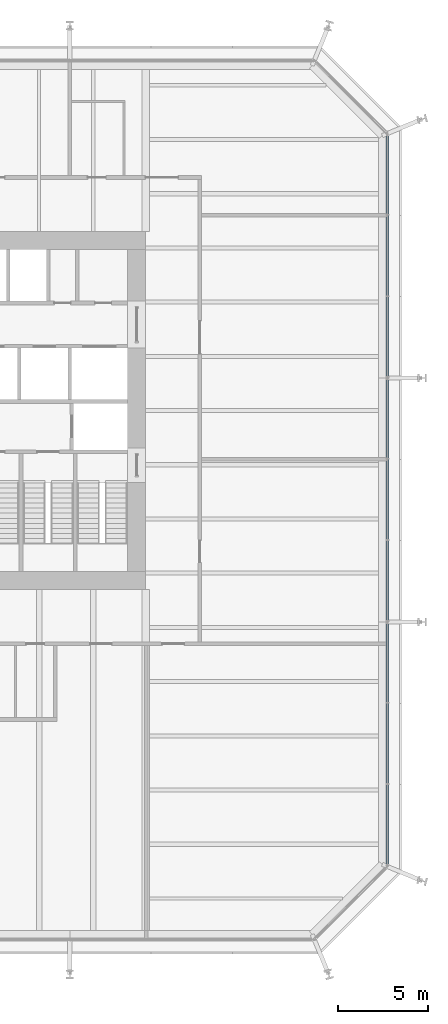
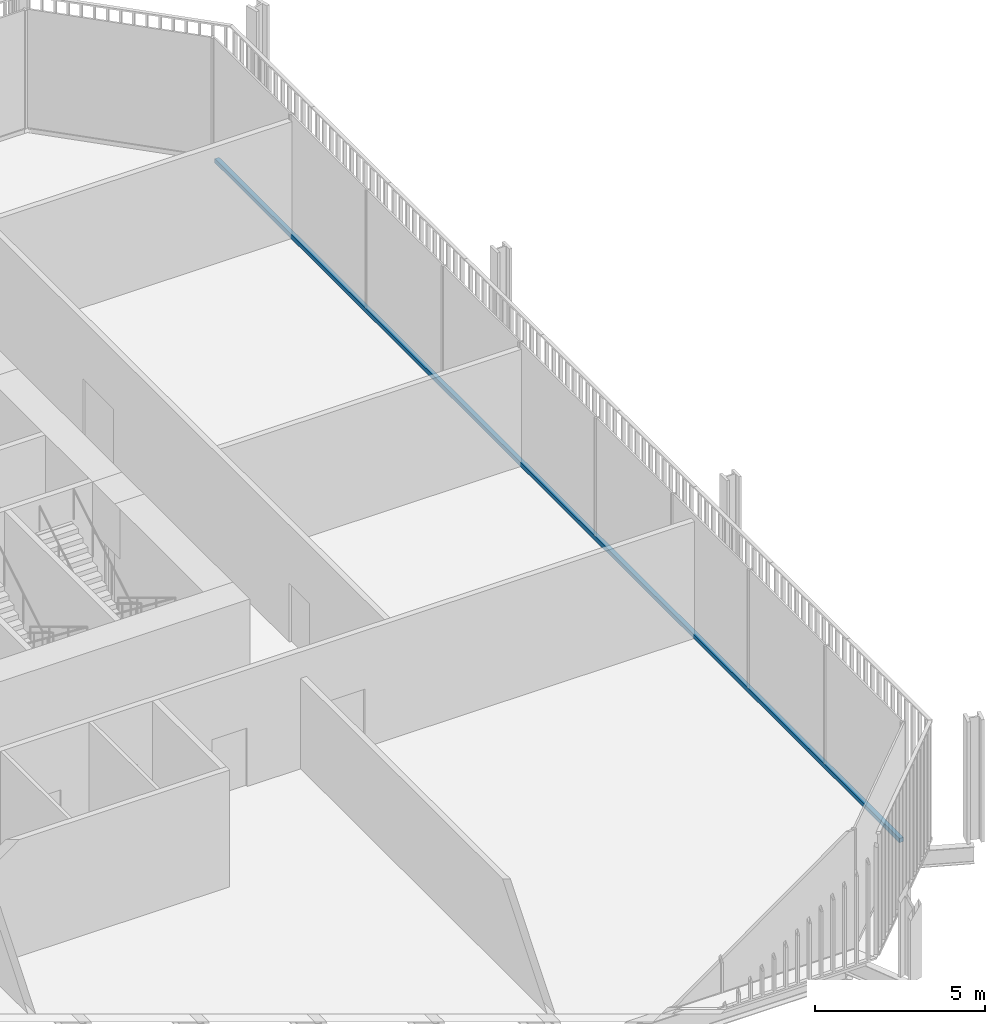
# One storey, part 9 of 20: 1 member, 1 element without a shape of its own.
"""IFC4 building model written with IfcOpenShell, lengths in metres."""

from ifc_helpers import new_model, si_unit, direction, frame, origin, origin_2d, place, context, subcontext, project, spatial, rectangle, extrude, material, layer, layer_set, material_profile, profile_set, type_object, element, aggregate, save


model = new_model("IFC4")

# Units and contexts
model_context = context("Model", 3, precision=1e-05, world=origin(), true_north=direction((0.0, 1.0)))
body_context = subcontext(model_context, "Body", "Model", "MODEL_VIEW")
ifc_project = project(units=[si_unit("LENGTHUNIT", "METRE"), si_unit("AREAUNIT", "SQUARE_METRE"), si_unit("VOLUMEUNIT", "CUBIC_METRE"), si_unit("PLANEANGLEUNIT", "RADIAN"), si_unit("MASSUNIT", "GRAM", prefix="KILO")], contexts=[model_context])

# Site, building, storey
site_placement = place(None, origin())
site = spatial("IfcSite", under=ifc_project, at=site_placement, CompositionType="ELEMENT")
building_placement = place(site_placement, origin())
building = spatial("IfcBuilding", under=site, at=building_placement, Name="Millrace Tower", CompositionType="ELEMENT")
storey_placement = place(building_placement, frame((0.0, 0.0, 77.60009765625)))
storey = spatial("IfcBuildingStorey", under=building, at=storey_placement, Name="L17", CompositionType="ELEMENT", Elevation=77.60009765625)

# Curtain wall, member
ifc_material_1 = material(Name="Aluminium and glass", Category="aluminium")
ifc_layer = layer(ifc_material_1, 0.14990234375)
ifc_layer_set = layer_set([ifc_layer], Name="Aluminium and glass")
curtain_wall_type = type_object("IfcCurtainWallType", Name="CW-3 telecom floor curtain wall", PredefinedType="NOTDEFINED", material=ifc_layer_set)
curtain_wall_placement = place(storey_placement, origin())
curtain_wall = element("IfcCurtainWall", 1, at=curtain_wall_placement, inside=storey, type_object=curtain_wall_type, Name="Curtain wall B-F04 L17", PredefinedType="NOTDEFINED")
ifc_material_2 = material(Name="Aluminium", Category="aluminium")
ifc_material_profile = material_profile(ifc_material_2, rectangle(XDim=0.14990234375, YDim=0.14990234375, at=origin_2d()))
ifc_profile_set = profile_set([ifc_material_profile], Name="Aluminium")
member_type = type_object("IfcMemberType", Name="CW-3 telecom floor curtain wall transom", PredefinedType="USERDEFINED", material=ifc_profile_set)
member_placement = place(storey_placement, frame((28.27490234375, -25.10009765625, 0.074951171875), z_axis=(0.0, 1.0, 0.0), x_axis=(-1.0, 0.0, 0.0)))
member = element("IfcMember", 2, at=member_placement, type_object=member_type, Name="CW3 transom B-F04.1", ObjectType="TRANSOM", PredefinedType="USERDEFINED", context=body_context, shape_type="SweptSolid", body=[
    extrude(rectangle(XDim=0.14990234375, YDim=0.14990234375, at=origin_2d()), origin(), (0.0, 0.0, 1.0), 40.300048828125),
])
aggregate(curtain_wall, [member])

save(model, "model.ifc")
